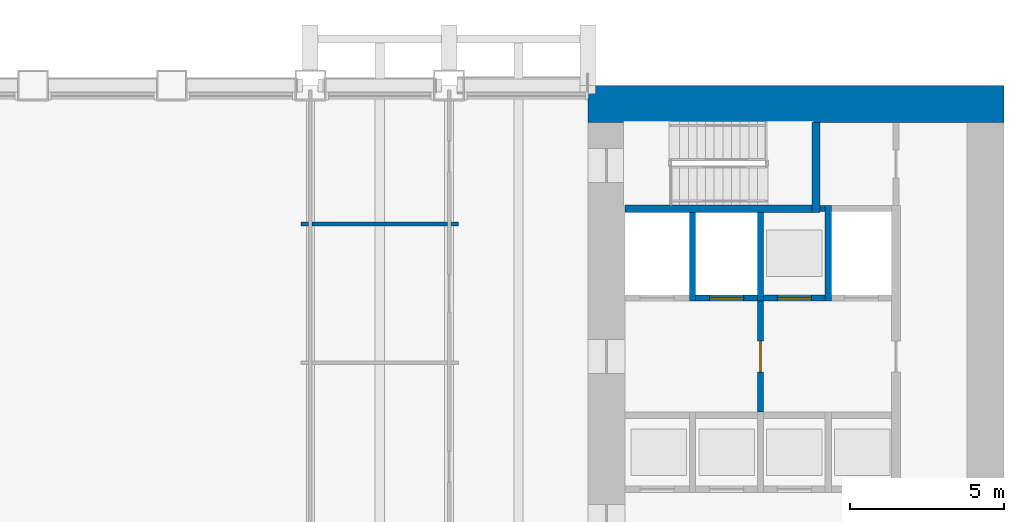
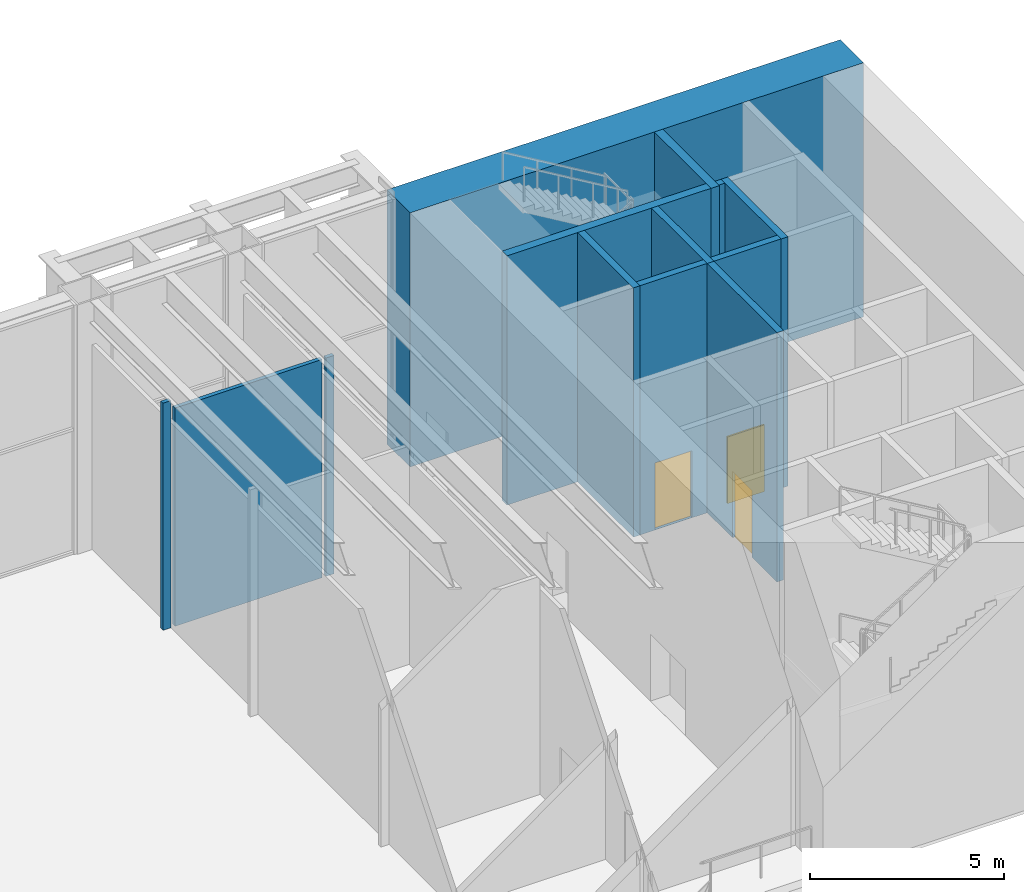
# One storey, part 11 of 21: 13 walls, 3 doors, 3 openings.
"""IFC4 building model written with IfcOpenShell, lengths in metres."""

import ifcopenshell
import ifcopenshell.guid

model = None  # the IFC model being written
_history = None  # IfcOwnerHistory: only IFC2X3 demands one
_inside = {}  # id of a spatial element -> (the spatial element, [elements in it])
_under = {}  # id of a project, library or spatial element -> (it, [spatial elements below it])
_declared = {}  # id of a project -> (the project, [libraries it declares])
_typed = {}  # id of a type object -> (the type object, [elements of that type])
_made_of = {}  # id of a material, layer set ... -> (it, [elements and type objects made of it])


def new_model(schema):
    """Start an empty IFC model of exactly this schema.

    Asked for "IFC4X3", IfcOpenShell would pick the latest addendum, in which some entities
    have other attributes; the version numbers below select the first issue.
    IFC2X3 requires an IfcOwnerHistory on every rooted entity: one is made here for all.
    """
    global model, _history
    if schema == "IFC4X3":
        model = ifcopenshell.file(schema_version=(4, 3, 0, 0))
    else:
        model = ifcopenshell.file(schema=schema)
    _inside.clear()
    _under.clear()
    _declared.clear()
    _typed.clear()
    _made_of.clear()
    _history = None
    if model.schema == "IFC2X3":
        org = make("IfcOrganization", Name="unknown")
        user = make(
            "IfcPersonAndOrganization",
            ThePerson=make("IfcPerson", FamilyName="unknown"),
            TheOrganization=org,
        )
        app = make(
            "IfcApplication",
            ApplicationDeveloper=org,
            Version="unknown",
            ApplicationFullName="unknown",
            ApplicationIdentifier="unknown",
        )
        _history = make(
            "IfcOwnerHistory",
            OwningUser=user,
            OwningApplication=app,
            ChangeAction="ADDED",
            CreationDate=0,
        )
    return model


def make(cls, **values):
    """One entity of the class cls with the attributes given. An attribute that is None is left unset."""
    return model.create_entity(
        cls, **{name: value for name, value in values.items() if value is not None}
    )


def rooted(cls, **values):
    """An entity with a GlobalId (a new one), such as an element, a storey or a relation."""
    return make(cls, GlobalId=ifcopenshell.guid.new(), OwnerHistory=_history, **values)


def si_unit(unit_type, name, prefix=None):
    """IfcSIUnit, for example si_unit("LENGTHUNIT", "METRE", prefix="MILLI")."""
    return make("IfcSIUnit", UnitType=unit_type, Prefix=prefix, Name=name)


def assignment(units):
    """IfcUnitAssignment: the units of a project."""
    return None if units is None else make("IfcUnitAssignment", Units=units)


def point(xyz):
    """IfcCartesianPoint."""
    return None if xyz is None else make("IfcCartesianPoint", Coordinates=xyz)


def direction(xyz):
    """IfcDirection."""
    return None if xyz is None else make("IfcDirection", DirectionRatios=xyz)


def frame(location, z_axis=None, x_axis=None):
    """IfcAxis2Placement3D, a coordinate frame: its origin and axes. An axis left out is left unset."""
    return make(
        "IfcAxis2Placement3D",
        Location=point(location),
        Axis=direction(z_axis),
        RefDirection=direction(x_axis),
    )


def frame_2d(location, x_axis=None):
    """IfcAxis2Placement2D, a coordinate frame in the plane: its origin and x axis."""
    return make(
        "IfcAxis2Placement2D", Location=point(location), RefDirection=direction(x_axis)
    )


def origin():
    """The frame at (0, 0, 0) with its axes left unset."""
    return frame((0.0, 0.0, 0.0))


def place(relative_to, where):
    """IfcLocalPlacement: puts the frame where relative to a parent placement (None: the world)."""
    return make(
        "IfcLocalPlacement", PlacementRelTo=relative_to, RelativePlacement=where
    )


def context(
    kind, dimensions, precision=None, world=None, true_north=None, identifier=None
):
    """IfcGeometricRepresentationContext, for example the 3D "Model" context."""
    return make(
        "IfcGeometricRepresentationContext",
        ContextIdentifier=identifier,
        ContextType=kind,
        CoordinateSpaceDimension=dimensions,
        Precision=precision,
        WorldCoordinateSystem=world,
        TrueNorth=true_north,
    )


def subcontext(parent, identifier, kind, view, scale=None):
    """IfcGeometricRepresentationSubContext, for example "Body" below "Model"."""
    return make(
        "IfcGeometricRepresentationSubContext",
        ContextIdentifier=identifier,
        ContextType=kind,
        ParentContext=parent,
        TargetScale=scale,
        TargetView=view,
    )


def project(units=None, contexts=None):
    """IfcProject with its units and contexts."""
    return rooted(
        "IfcProject",
        Name="project",
        RepresentationContexts=contexts,
        UnitsInContext=assignment(units),
    )


def spatial(cls, under=None, at=None, **own):
    """A site, building, storey or space (cls), placed at a placement, below another one or the project."""
    s = rooted(cls, ObjectPlacement=at, **own)
    if under is not None:
        _under.setdefault(under.id(), (under, []))[1].append(s)
    return s


def profile(cls, at=None, kind="AREA", **sizes):
    """A parametric profile (cls). Its sizes go by their IFC names, for example OverallWidth=200.0."""
    return make(cls, ProfileType=kind, Position=at, **sizes)


def rectangle(**sizes):
    """IfcRectangleProfileDef."""
    return profile("IfcRectangleProfileDef", **sizes)


def extrude(swept, where, along, depth):
    """IfcExtrudedAreaSolid: the profile swept, set in the frame where, extruded along a direction by depth."""
    return make(
        "IfcExtrudedAreaSolid",
        SweptArea=swept,
        Position=where,
        ExtrudedDirection=direction(along),
        Depth=depth,
    )


def shape(context_of_items, identifier, shape_type, items):
    """IfcShapeRepresentation: the items that make up one representation, for example the "Body"."""
    return make(
        "IfcShapeRepresentation",
        ContextOfItems=context_of_items,
        RepresentationIdentifier=identifier,
        RepresentationType=shape_type,
        Items=items,
    )


def material(Name=None, Category=None):
    """IfcMaterial."""
    return make("IfcMaterial", Name=Name, Category=Category)


def layer(
    of_material, thickness, ventilated=None, Name=None, Category=None, Priority=None
):
    """IfcMaterialLayer: one layer of a wall or slab, of a material (None: an air gap)."""
    return make(
        "IfcMaterialLayer",
        Material=of_material,
        LayerThickness=thickness,
        IsVentilated=ventilated,
        Name=Name,
        Category=Category,
        Priority=Priority,
    )


def layer_set(layers, Name=None):
    """IfcMaterialLayerSet."""
    return make("IfcMaterialLayerSet", MaterialLayers=layers, LayerSetName=Name)


def made_of(thing, what):
    """Note that an element or type object is made of a material, layer set ...; save() writes the relation."""
    if what is not None:
        _made_of.setdefault(what.id(), (what, []))[1].append(thing)
    return thing


def type_object(cls, material=None, **own):
    """A type object (cls), such as IfcWallType, which elements share."""
    return made_of(rooted(cls, **own), material)


def element(
    cls,
    number,
    at=None,
    inside=None,
    cuts=None,
    type_object=None,
    material=None,
    context=None,
    identifier="Body",
    shape_type=None,
    held_by="IfcProductDefinitionShape",
    body=None,
    shapes=None,
    **own,
):
    """One element of the class cls, such as IfcWall. Its Tag is "e" and its number.

    at: its placement. inside: the storey or other place that contains it. cuts: it is an
    opening in that element (IfcRelVoidsElement). A single representation is given by context,
    identifier, shape_type and body (its items); several are given by shapes. held_by: the class
    of the entity that holds the representations. save() writes the other relations.
    """
    e = rooted(cls, Tag="e%d" % number, ObjectPlacement=at, **own)
    if body is not None:
        shapes = [shape(context, identifier, shape_type, body)]
    if shapes is not None:
        e.Representation = make(held_by, Representations=shapes)
    if inside is not None:
        _inside.setdefault(inside.id(), (inside, []))[1].append(e)
    if cuts is not None:
        rooted(
            "IfcRelVoidsElement", RelatingBuildingElement=cuts, RelatedOpeningElement=e
        )
    if type_object is not None:
        _typed.setdefault(type_object.id(), (type_object, []))[1].append(e)
    return made_of(e, material)


def fill(opening, filler):
    """IfcRelFillsElement: the door or window that sits in an opening."""
    return rooted(
        "IfcRelFillsElement",
        RelatingOpeningElement=opening,
        RelatedBuildingElement=filler,
    )


def aggregate(whole, parts):
    """IfcRelAggregates: a whole, such as a stair, and the parts it consists of."""
    return rooted("IfcRelAggregates", RelatingObject=whole, RelatedObjects=parts)


def save(model, path):
    """Write the relations noted so far, then the file.

    IfcRelAggregates (storeys below a building ...), IfcRelContainedInSpatialStructure (elements
    in a storey), IfcRelDefinesByType, IfcRelAssociatesMaterial and IfcRelDeclares: one each for
    every whole, place, type object, material and project.
    """
    for whole, parts in _under.values():
        aggregate(whole, parts)
    for where, things in _inside.values():
        rooted(
            "IfcRelContainedInSpatialStructure",
            RelatedElements=things,
            RelatingStructure=where,
        )
    for kind, things in _typed.values():
        rooted("IfcRelDefinesByType", RelatedObjects=things, RelatingType=kind)
    for what, things in _made_of.values():
        rooted("IfcRelAssociatesMaterial", RelatedObjects=things, RelatingMaterial=what)
    for by, libraries in _declared.values():
        rooted("IfcRelDeclares", RelatingContext=by, RelatedDefinitions=libraries)
    model.write(path)


model = new_model("IFC4")

# Units and contexts
model_context = context("Model", 3, precision=1e-05, world=origin(), true_north=direction((0.0, 1.0)))
body_context = subcontext(model_context, "Body", "Model", "MODEL_VIEW")
ifc_project = project(units=[si_unit("LENGTHUNIT", "METRE"), si_unit("AREAUNIT", "SQUARE_METRE"), si_unit("VOLUMEUNIT", "CUBIC_METRE"), si_unit("PLANEANGLEUNIT", "RADIAN"), si_unit("MASSUNIT", "GRAM", prefix="KILO")], contexts=[model_context])

# Site, building, storey
site_placement = place(None, origin())
site = spatial("IfcSite", under=ifc_project, at=site_placement, CompositionType="ELEMENT")
building_placement = place(site_placement, origin())
building = spatial("IfcBuilding", under=site, at=building_placement, Name="Sennacour Bend Tower", CompositionType="ELEMENT")
storey_placement = place(building_placement, frame((0.0, 0.0, 131.0)))
storey = spatial("IfcBuildingStorey", under=building, at=storey_placement, Name="L30", CompositionType="ELEMENT", Elevation=131.0)

# Walls
ifc_material_1 = material(Name="Concrete C80/95", Category="concrete")
ifc_layer_1 = layer(ifc_material_1, 1.199951171875, Name="Concrete C80/95", Category="concrete")
ifc_layer_set_1 = layer_set([ifc_layer_1], Name="Concrete C80/95")
wall_type_1 = type_object("IfcWallType", Name="Core wall 1200 C80/95", PredefinedType="SHEAR", material=ifc_layer_set_1)
wall_1_placement = place(storey_placement, frame((54.0, 21.89990234375, -0.14990234375), z_axis=(0.0, 0.0, 1.0), x_axis=(1.0, 0.0, 0.0)))
element("IfcWall", 1, at=wall_1_placement, inside=storey, type_object=wall_type_1, Name="Core A wall L30 N", PredefinedType="SHEAR", context=body_context, shape_type="SweptSolid", body=[
    extrude(rectangle(XDim=13.5, YDim=1.199951171875, at=frame_2d((6.75, 0.0))), origin(), (0.0, 0.0, 1.0), 8.0),
])
ifc_material_2 = material(Name="Plasterboard partition on steel studs", Category="steel")
ifc_layer_2 = layer(ifc_material_2, 0.1201171875, Name="Plasterboard partition on steel studs", Category="steel")
ifc_layer_set_2 = layer_set([ifc_layer_2], Name="Plasterboard partition on steel studs")
wall_type_2 = type_object("IfcWallType", Name="Partition 120", PredefinedType="PARTITIONING", material=ifc_layer_set_2)
wall_2_placement = place(storey_placement, frame((44.699951171875, 18.0, 0.0), z_axis=(0.0, 0.0, 1.0), x_axis=(1.0, 0.0, 0.0)))
element("IfcWall", 2, at=wall_2_placement, inside=storey, type_object=wall_type_2, Name="P-L30-W057aa", PredefinedType="PARTITIONING", context=body_context, shape_type="SweptSolid", body=[
    extrude(rectangle(XDim=0.239990234375, YDim=0.1201171875, at=frame_2d((0.1201171875, 0.0))), origin(), (0.0, 0.0, 1.0), 7.14892578125),
])
wall_3_placement = place(storey_placement, frame((45.06005859375, 18.0, 0.0), z_axis=(0.0, 0.0, 1.0), x_axis=(1.0, 0.0, 0.0)))
element("IfcWall", 3, at=wall_3_placement, inside=storey, type_object=wall_type_2, Name="P-L30-W057ab", PredefinedType="PARTITIONING", context=body_context, shape_type="SweptSolid", body=[
    extrude(rectangle(XDim=4.3798828125, YDim=0.1201171875, at=frame_2d((2.18994140625, 0.0))), origin(), (0.0, 0.0, 1.0), 6.8701171875),
])
wall_4_placement = place(storey_placement, frame((49.56005859375, 18.0, 0.0), z_axis=(0.0, 0.0, 1.0), x_axis=(1.0, 0.0, 0.0)))
element("IfcWall", 4, at=wall_4_placement, inside=storey, type_object=wall_type_2, Name="P-L30-W057ac", PredefinedType="PARTITIONING", context=body_context, shape_type="SweptSolid", body=[
    extrude(rectangle(XDim=0.239990234375, YDim=0.1201171875, at=frame_2d((0.1201171875, 0.0))), origin(), (0.0, 0.0, 1.0), 6.8701171875),
])

# Wall, opening, door
ifc_material_3 = material(Name="Fire-rated plasterboard partition on steel studs", Category="steel")
ifc_layer_3 = layer(ifc_material_3, 0.199951171875, Name="Fire-rated plasterboard partition on steel studs", Category="steel")
ifc_layer_set_3 = layer_set([ifc_layer_3], Name="Fire-rated plasterboard partition on steel studs")
wall_type_3 = type_object("IfcWallType", Name="Rated partition 200 EI 90", PredefinedType="PARTITIONING", material=ifc_layer_set_3)
wall_5_placement = place(storey_placement, frame((59.60009765625, 11.89990234375, 0.0), z_axis=(0.0, 0.0, 1.0), x_axis=(0.0, 1.0, 0.0)))
wall_5 = element("IfcWall", 5, at=wall_5_placement, inside=storey, type_object=wall_type_3, Name="P-L30-W030", PredefinedType="PARTITIONING", context=body_context, shape_type="SweptSolid", body=[
    extrude(rectangle(XDim=3.60009765625, YDim=0.199951171875, at=frame_2d((1.800048828125, 0.0))), origin(), (0.0, 0.0, 1.0), 7.85009765625),
])
opening_1_placement = place(wall_5_placement, frame((1.300048828125, 0.0, 0.0)))
opening_1 = element("IfcOpeningElement", 6, at=opening_1_placement, cuts=wall_5, Name="Opening FD2", PredefinedType="OPENING", context=body_context, shape_type="SweptSolid", body=[
    extrude(rectangle(XDim=1.0, YDim=2.10009765625, at=frame_2d((0.5, 1.050048828125))), frame((0.0, 0.10986328125, 0.0), z_axis=(0.0, -1.0, 0.0), x_axis=(1.0, 0.0, 0.0)), (0.0, 0.0, 1.0), 0.219970703125),
])
ifc_material_4 = material(Name="Painted steel", Category="steel")
door_type_1 = type_object("IfcDoorType", Name="DR-FFL-1000", OperationType="NOTDEFINED", PredefinedType="DOOR", material=ifc_material_4)
door_1_placement = place(opening_1_placement, origin())
door_1 = element("IfcDoor", 7, at=door_1_placement, inside=storey, type_object=door_type_1, Name="Door", OperationType="SINGLE_SWING_RIGHT", OverallHeight=2.10009765625, OverallWidth=1.0, PredefinedType="DOOR", context=body_context, shape_type="SweptSolid", body=[
    extrude(rectangle(XDim=1.0, YDim=2.10009765625, at=frame_2d((0.5, 1.050048828125))), frame((0.0, 0.02490234375, 0.0), z_axis=(0.0, -1.0, 0.0), x_axis=(1.0, 0.0, 0.0)), (0.0, 0.0, 1.0), 0.050048828125),
])
fill(opening_1, door_1)

# Walls
ifc_material_5 = material(Name="Concrete C50/60", Category="concrete")
ifc_layer_4 = layer(ifc_material_5, 0.199951171875, Name="Concrete C50/60", Category="concrete")
ifc_layer_set_4 = layer_set([ifc_layer_4], Name="Concrete C50/60")
wall_type_4 = type_object("IfcWallType", Name="Shaft wall 200", PredefinedType="SOLIDWALL", material=ifc_layer_set_4)
for number, where, z_axis, x_axis, name in (
    (8, (57.39990234375, 15.5, 0.0), (0.0, 0.0, 1.0), (0.0, 1.0, 0.0), "P-L30-W027"),
    (9, (59.60009765625, 15.5, 0.0), (0.0, 0.0, 1.0), (0.0, 1.0, 0.0), "P-L30-W031"),
):
    element("IfcWall", number, at=place(storey_placement, frame(where, z_axis=z_axis, x_axis=x_axis)), inside=storey, type_object=wall_type_4, Name=name, PredefinedType="SOLIDWALL", context=body_context, shape_type="SweptSolid", body=[
        extrude(rectangle(XDim=2.875, YDim=0.199951171875, at=frame_2d((1.4375, 0.0))), origin(), (0.0, 0.0, 1.0), 7.85009765625),
    ])
wall_6_placement = place(storey_placement, frame((61.800048828125, 15.5, 0.0), z_axis=(0.0, 0.0, 1.0), x_axis=(0.0, 1.0, 0.0)))
element("IfcWall", 10, at=wall_6_placement, inside=storey, type_object=wall_type_4, Name="P-L30-W036", PredefinedType="SOLIDWALL", context=body_context, shape_type="SweptSolid", body=[
    extrude(rectangle(XDim=3.10009765625, YDim=0.199951171875, at=frame_2d((1.550048828125, 0.0))), origin(), (0.0, 0.0, 1.0), 7.85009765625),
])

# Wall, opening, door
wall_7_placement = place(storey_placement, frame((57.5, 15.60009765625, 0.0), z_axis=(0.0, 0.0, 1.0), x_axis=(1.0, 0.0, 0.0)))
wall_7 = element("IfcWall", 11, at=wall_7_placement, inside=storey, type_object=wall_type_4, Name="P-L30-W055b", PredefinedType="SOLIDWALL", context=body_context, shape_type="SweptSolid", body=[
    extrude(rectangle(XDim=2.0, YDim=0.199951171875, at=frame_2d((1.0, 0.0))), origin(), (0.0, 0.0, 1.0), 7.85009765625),
])
opening_2_placement = place(wall_7_placement, frame((0.449951171875, 0.0, 0.011962890625)))
opening_2 = element("IfcOpeningElement", 12, at=opening_2_placement, cuts=wall_7, Name="Opening FLD", PredefinedType="OPENING", context=body_context, shape_type="SweptSolid", body=[
    extrude(rectangle(XDim=1.10009765625, YDim=2.10009765625, at=frame_2d((0.550048828125, 1.050048828125))), frame((0.0, 0.10986328125, 0.0), z_axis=(0.0, -1.0, 0.0), x_axis=(1.0, 0.0, 0.0)), (0.0, 0.0, 1.0), 0.219970703125),
])
ifc_material_6 = material(Name="Stainless steel", Category="steel")
door_type_2 = type_object("IfcDoorType", Name="DR-FF-LANDING-1100", OperationType="NOTDEFINED", PredefinedType="DOOR", material=ifc_material_6)
door_2_placement = place(opening_2_placement, origin())
door_2 = element("IfcDoor", 13, at=door_2_placement, inside=storey, type_object=door_type_2, Name="Fire service lift landing door FA2", OperationType="SLIDING_TO_RIGHT", OverallHeight=2.10009765625, OverallWidth=1.10009765625, PredefinedType="DOOR", context=body_context, shape_type="SweptSolid", body=[
    extrude(rectangle(XDim=1.10009765625, YDim=2.10009765625, at=frame_2d((0.550048828125, 1.050048828125))), frame((0.0, 0.02490234375, 0.0), z_axis=(0.0, -1.0, 0.0), x_axis=(1.0, 0.0, 0.0)), (0.0, 0.0, 1.0), 0.050048828125),
])
fill(opening_2, door_2)

wall_8_placement = place(storey_placement, frame((59.699951171875, 15.60009765625, 0.0), z_axis=(0.0, 0.0, 1.0), x_axis=(1.0, 0.0, 0.0)))
wall_8 = element("IfcWall", 14, at=wall_8_placement, inside=storey, type_object=wall_type_4, Name="P-L30-W055c", PredefinedType="SOLIDWALL", context=body_context, shape_type="SweptSolid", body=[
    extrude(rectangle(XDim=2.0, YDim=0.199951171875, at=frame_2d((1.0, 0.0))), origin(), (0.0, 0.0, 1.0), 7.85009765625),
])
opening_3_placement = place(wall_8_placement, frame((0.449951171875, 0.0, 0.011962890625)))
opening_3 = element("IfcOpeningElement", 15, at=opening_3_placement, cuts=wall_8, Name="Opening LD", PredefinedType="OPENING", context=body_context, shape_type="SweptSolid", body=[
    extrude(rectangle(XDim=1.10009765625, YDim=2.10009765625, at=frame_2d((0.550048828125, 1.050048828125))), frame((0.0, 0.10986328125, 0.0), z_axis=(0.0, -1.0, 0.0), x_axis=(1.0, 0.0, 0.0)), (0.0, 0.0, 1.0), 0.219970703125),
])
door_type_3 = type_object("IfcDoorType", Name="DR-LANDING-1100", OperationType="NOTDEFINED", PredefinedType="DOOR", material=ifc_material_6)
door_3_placement = place(opening_3_placement, origin())
door_3 = element("IfcDoor", 16, at=door_3_placement, inside=storey, type_object=door_type_3, Name="Lift landing door HA5", OperationType="SLIDING_TO_LEFT", OverallHeight=2.10009765625, OverallWidth=1.10009765625, PredefinedType="DOOR", context=body_context, shape_type="SweptSolid", body=[
    extrude(rectangle(XDim=1.10009765625, YDim=2.10009765625, at=frame_2d((0.550048828125, 1.050048828125))), frame((0.0, 0.02490234375, 0.0), z_axis=(0.0, -1.0, 0.0), x_axis=(1.0, 0.0, 0.0)), (0.0, 0.0, 1.0), 0.050048828125),
])
fill(opening_3, door_3)

# Walls
wall_9_placement = place(storey_placement, frame((61.52490234375, 18.5, 0.0), z_axis=(0.0, 0.0, 1.0), x_axis=(1.0, 0.0, 0.0)))
element("IfcWall", 17, at=wall_9_placement, inside=storey, type_object=wall_type_4, Name="P-L30-W059a", PredefinedType="SOLIDWALL", context=body_context, shape_type="SweptSolid", body=[
    extrude(rectangle(XDim=0.175048828125, YDim=0.199951171875, at=frame_2d((0.08740234375, 0.0))), origin(), (0.0, 0.0, 1.0), 7.85009765625),
])
ifc_material_7 = material(Name="Concrete C60/75", Category="concrete")
ifc_layer_5 = layer(ifc_material_7, 0.25, Name="Concrete C60/75", Category="concrete")
ifc_layer_set_5 = layer_set([ifc_layer_5], Name="Concrete C60/75")
wall_type_5 = type_object("IfcWallType", Name="Stair wall 250", PredefinedType="SHEAR", material=ifc_layer_set_5)
wall_10_placement = place(storey_placement, frame((61.39990234375, 18.375, 0.0), z_axis=(0.0, 0.0, 1.0), x_axis=(0.0, 1.0, 0.0)))
element("IfcWall", 18, at=wall_10_placement, inside=storey, type_object=wall_type_5, Name="P-L30-W033", PredefinedType="SHEAR", context=body_context, shape_type="SweptSolid", body=[
    extrude(rectangle(XDim=2.925048828125, YDim=0.25, at=frame_2d((1.46240234375, 0.0))), origin(), (0.0, 0.0, 1.0), 7.85009765625),
])
wall_11_placement = place(storey_placement, frame((55.199951171875, 18.5, 0.0), z_axis=(0.0, 0.0, 1.0), x_axis=(1.0, 0.0, 0.0)))
element("IfcWall", 19, at=wall_11_placement, inside=storey, type_object=wall_type_5, Name="P-L30-W058", PredefinedType="SHEAR", context=body_context, shape_type="SweptSolid", body=[
    extrude(rectangle(XDim=6.074951171875, YDim=0.25, at=frame_2d((3.03759765625, 0.0))), origin(), (0.0, 0.0, 1.0), 7.85009765625),
])

save(model, "model.ifc")
